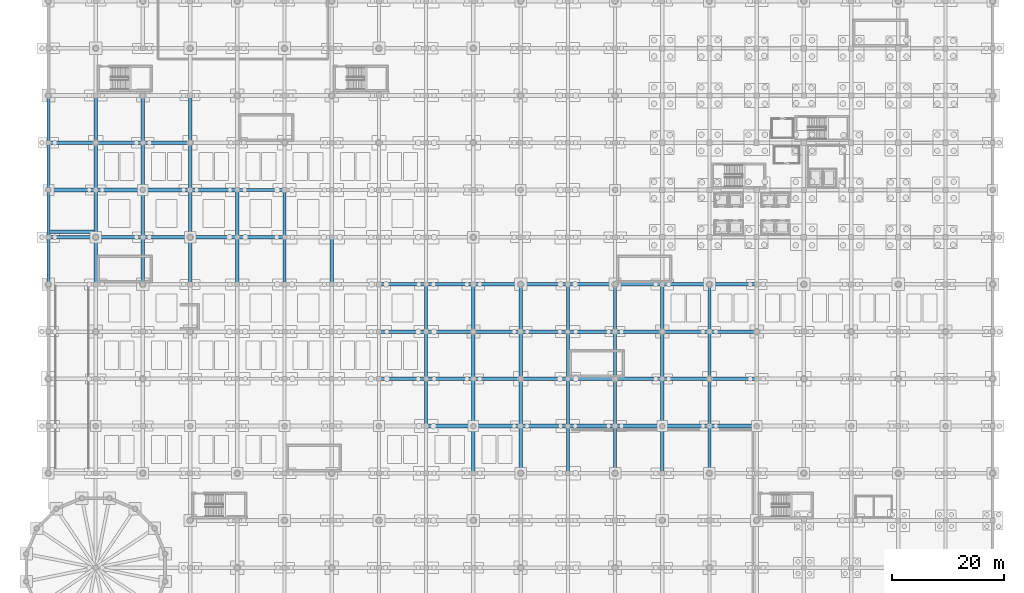
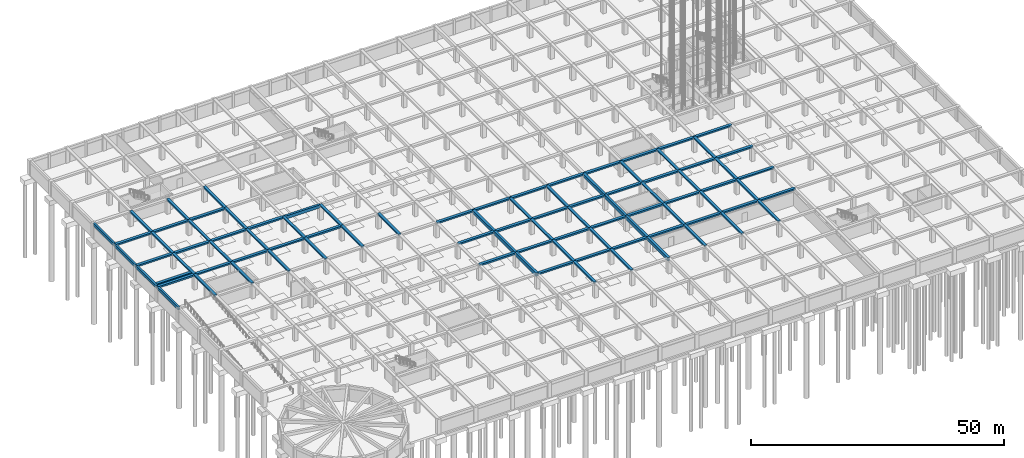
# One storey, part 13 of 47: 93 beams.
"""IFC4 building model written with IfcOpenShell, lengths in metres."""

import ifcopenshell
import ifcopenshell.guid

model = None  # the IFC model being written
_history = None  # IfcOwnerHistory: only IFC2X3 demands one
_inside = {}  # id of a spatial element -> (the spatial element, [elements in it])
_under = {}  # id of a project, library or spatial element -> (it, [spatial elements below it])
_declared = {}  # id of a project -> (the project, [libraries it declares])
_typed = {}  # id of a type object -> (the type object, [elements of that type])
_made_of = {}  # id of a material, layer set ... -> (it, [elements and type objects made of it])


def new_model(schema):
    """Start an empty IFC model of exactly this schema.

    Asked for "IFC4X3", IfcOpenShell would pick the latest addendum, in which some entities
    have other attributes; the version numbers below select the first issue.
    IFC2X3 requires an IfcOwnerHistory on every rooted entity: one is made here for all.
    """
    global model, _history
    if schema == "IFC4X3":
        model = ifcopenshell.file(schema_version=(4, 3, 0, 0))
    else:
        model = ifcopenshell.file(schema=schema)
    _inside.clear()
    _under.clear()
    _declared.clear()
    _typed.clear()
    _made_of.clear()
    _history = None
    if model.schema == "IFC2X3":
        org = make("IfcOrganization", Name="unknown")
        user = make(
            "IfcPersonAndOrganization",
            ThePerson=make("IfcPerson", FamilyName="unknown"),
            TheOrganization=org,
        )
        app = make(
            "IfcApplication",
            ApplicationDeveloper=org,
            Version="unknown",
            ApplicationFullName="unknown",
            ApplicationIdentifier="unknown",
        )
        _history = make(
            "IfcOwnerHistory",
            OwningUser=user,
            OwningApplication=app,
            ChangeAction="ADDED",
            CreationDate=0,
        )
    return model


def make(cls, **values):
    """One entity of the class cls with the attributes given. An attribute that is None is left unset."""
    return model.create_entity(
        cls, **{name: value for name, value in values.items() if value is not None}
    )


def rooted(cls, **values):
    """An entity with a GlobalId (a new one), such as an element, a storey or a relation."""
    return make(cls, GlobalId=ifcopenshell.guid.new(), OwnerHistory=_history, **values)


def si_unit(unit_type, name, prefix=None):
    """IfcSIUnit, for example si_unit("LENGTHUNIT", "METRE", prefix="MILLI")."""
    return make("IfcSIUnit", UnitType=unit_type, Prefix=prefix, Name=name)


def assignment(units):
    """IfcUnitAssignment: the units of a project."""
    return None if units is None else make("IfcUnitAssignment", Units=units)


def point(xyz):
    """IfcCartesianPoint."""
    return None if xyz is None else make("IfcCartesianPoint", Coordinates=xyz)


def direction(xyz):
    """IfcDirection."""
    return None if xyz is None else make("IfcDirection", DirectionRatios=xyz)


def frame(location, z_axis=None, x_axis=None):
    """IfcAxis2Placement3D, a coordinate frame: its origin and axes. An axis left out is left unset."""
    return make(
        "IfcAxis2Placement3D",
        Location=point(location),
        Axis=direction(z_axis),
        RefDirection=direction(x_axis),
    )


def frame_2d(location, x_axis=None):
    """IfcAxis2Placement2D, a coordinate frame in the plane: its origin and x axis."""
    return make(
        "IfcAxis2Placement2D", Location=point(location), RefDirection=direction(x_axis)
    )


def origin():
    """The frame at (0, 0, 0) with its axes left unset."""
    return frame((0.0, 0.0, 0.0))


def origin_2d():
    """The frame at (0, 0) in the plane with its x axis left unset."""
    return frame_2d((0.0, 0.0))


def place(relative_to, where):
    """IfcLocalPlacement: puts the frame where relative to a parent placement (None: the world)."""
    return make(
        "IfcLocalPlacement", PlacementRelTo=relative_to, RelativePlacement=where
    )


def context(
    kind, dimensions, precision=None, world=None, true_north=None, identifier=None
):
    """IfcGeometricRepresentationContext, for example the 3D "Model" context."""
    return make(
        "IfcGeometricRepresentationContext",
        ContextIdentifier=identifier,
        ContextType=kind,
        CoordinateSpaceDimension=dimensions,
        Precision=precision,
        WorldCoordinateSystem=world,
        TrueNorth=true_north,
    )


def subcontext(parent, identifier, kind, view, scale=None):
    """IfcGeometricRepresentationSubContext, for example "Body" below "Model"."""
    return make(
        "IfcGeometricRepresentationSubContext",
        ContextIdentifier=identifier,
        ContextType=kind,
        ParentContext=parent,
        TargetScale=scale,
        TargetView=view,
    )


def project(units=None, contexts=None):
    """IfcProject with its units and contexts."""
    return rooted(
        "IfcProject",
        Name="project",
        RepresentationContexts=contexts,
        UnitsInContext=assignment(units),
    )


def spatial(cls, under=None, at=None, **own):
    """A site, building, storey or space (cls), placed at a placement, below another one or the project."""
    s = rooted(cls, ObjectPlacement=at, **own)
    if under is not None:
        _under.setdefault(under.id(), (under, []))[1].append(s)
    return s


def profile(cls, at=None, kind="AREA", **sizes):
    """A parametric profile (cls). Its sizes go by their IFC names, for example OverallWidth=200.0."""
    return make(cls, ProfileType=kind, Position=at, **sizes)


def rectangle(**sizes):
    """IfcRectangleProfileDef."""
    return profile("IfcRectangleProfileDef", **sizes)


def extrude(swept, where, along, depth):
    """IfcExtrudedAreaSolid: the profile swept, set in the frame where, extruded along a direction by depth."""
    return make(
        "IfcExtrudedAreaSolid",
        SweptArea=swept,
        Position=where,
        ExtrudedDirection=direction(along),
        Depth=depth,
    )


def shape(context_of_items, identifier, shape_type, items):
    """IfcShapeRepresentation: the items that make up one representation, for example the "Body"."""
    return make(
        "IfcShapeRepresentation",
        ContextOfItems=context_of_items,
        RepresentationIdentifier=identifier,
        RepresentationType=shape_type,
        Items=items,
    )


def material(Name=None, Category=None):
    """IfcMaterial."""
    return make("IfcMaterial", Name=Name, Category=Category)


def material_profile(
    of_material, cross_section, Name=None, Category=None, Priority=None
):
    """IfcMaterialProfile: a cross section and its material."""
    return make(
        "IfcMaterialProfile",
        Name=Name,
        Material=of_material,
        Profile=cross_section,
        Priority=Priority,
        Category=Category,
    )


def profile_set(profiles, Name=None, composite=None):
    """IfcMaterialProfileSet."""
    return make(
        "IfcMaterialProfileSet",
        Name=Name,
        MaterialProfiles=profiles,
        CompositeProfile=composite,
    )


def made_of(thing, what):
    """Note that an element or type object is made of a material, layer set ...; save() writes the relation."""
    if what is not None:
        _made_of.setdefault(what.id(), (what, []))[1].append(thing)
    return thing


def type_object(cls, material=None, **own):
    """A type object (cls), such as IfcWallType, which elements share."""
    return made_of(rooted(cls, **own), material)


def element(
    cls,
    number,
    at=None,
    inside=None,
    cuts=None,
    type_object=None,
    material=None,
    context=None,
    identifier="Body",
    shape_type=None,
    held_by="IfcProductDefinitionShape",
    body=None,
    shapes=None,
    **own,
):
    """One element of the class cls, such as IfcWall. Its Tag is "e" and its number.

    at: its placement. inside: the storey or other place that contains it. cuts: it is an
    opening in that element (IfcRelVoidsElement). A single representation is given by context,
    identifier, shape_type and body (its items); several are given by shapes. held_by: the class
    of the entity that holds the representations. save() writes the other relations.
    """
    e = rooted(cls, Tag="e%d" % number, ObjectPlacement=at, **own)
    if body is not None:
        shapes = [shape(context, identifier, shape_type, body)]
    if shapes is not None:
        e.Representation = make(held_by, Representations=shapes)
    if inside is not None:
        _inside.setdefault(inside.id(), (inside, []))[1].append(e)
    if cuts is not None:
        rooted(
            "IfcRelVoidsElement", RelatingBuildingElement=cuts, RelatedOpeningElement=e
        )
    if type_object is not None:
        _typed.setdefault(type_object.id(), (type_object, []))[1].append(e)
    return made_of(e, material)


def aggregate(whole, parts):
    """IfcRelAggregates: a whole, such as a stair, and the parts it consists of."""
    return rooted("IfcRelAggregates", RelatingObject=whole, RelatedObjects=parts)


def save(model, path):
    """Write the relations noted so far, then the file.

    IfcRelAggregates (storeys below a building ...), IfcRelContainedInSpatialStructure (elements
    in a storey), IfcRelDefinesByType, IfcRelAssociatesMaterial and IfcRelDeclares: one each for
    every whole, place, type object, material and project.
    """
    for whole, parts in _under.values():
        aggregate(whole, parts)
    for where, things in _inside.values():
        rooted(
            "IfcRelContainedInSpatialStructure",
            RelatedElements=things,
            RelatingStructure=where,
        )
    for kind, things in _typed.values():
        rooted("IfcRelDefinesByType", RelatedObjects=things, RelatingType=kind)
    for what, things in _made_of.values():
        rooted("IfcRelAssociatesMaterial", RelatedObjects=things, RelatingMaterial=what)
    for by, libraries in _declared.values():
        rooted("IfcRelDeclares", RelatingContext=by, RelatedDefinitions=libraries)
    model.write(path)


model = new_model("IFC4")

# Units and contexts
model_context = context("Model", 3, precision=1e-05, world=origin(), true_north=direction((0.0, 1.0)))
body_context = subcontext(model_context, "Body", "Model", "MODEL_VIEW")
ifc_project = project(units=[si_unit("LENGTHUNIT", "METRE"), si_unit("AREAUNIT", "SQUARE_METRE"), si_unit("VOLUMEUNIT", "CUBIC_METRE"), si_unit("PLANEANGLEUNIT", "RADIAN"), si_unit("MASSUNIT", "GRAM", prefix="KILO")], contexts=[model_context])

# Site, building, storey
site_placement = place(None, origin())
site = spatial("IfcSite", under=ifc_project, at=site_placement, CompositionType="ELEMENT")
building_placement = place(site_placement, origin())
building = spatial("IfcBuilding", under=site, at=building_placement, Name="Almacenes y Pasaje Nevantli", CompositionType="ELEMENT")
storey_placement = place(building_placement, frame((0.0, 0.0, -8.10009765625)))
storey = spatial("IfcBuildingStorey", under=building, at=storey_placement, Name="B02", CompositionType="ELEMENT", Elevation=-8.10009765625)

# Beams
ifc_material_1 = material(Name="Concrete C35/45", Category="concrete")
ifc_material_profile_1 = material_profile(ifc_material_1, rectangle(XDim=0.449951171875, YDim=0.699951171875, at=origin_2d()), Name="RC-BM-450x700")
ifc_profile_set_1 = profile_set([ifc_material_profile_1], Name="Concrete C35/45")
beam_type_1 = type_object("IfcBeamType", Name="BM-RC-450x700", PredefinedType="SPANDREL", material=ifc_profile_set_1)
beam_1_placement = place(storey_placement, frame((0.0, 58.800048828125, 3.25), z_axis=(0.0, 1.0, 0.0), x_axis=(-1.0, 0.0, 0.0)))
element("IfcBeam", 1, at=beam_1_placement, inside=storey, type_object=beam_type_1, Name="B02 North-South Reinforced Concrete Beam #296", PredefinedType="SPANDREL", context=body_context, shape_type="SweptSolid", body=[
    extrude(rectangle(XDim=0.449951171875, YDim=0.699951171875, at=origin_2d()), origin(), (0.0, 0.0, 1.0), 8.39990234375),
])
beam_2_placement = place(storey_placement, frame((0.0, 67.199951171875, 3.25), z_axis=(0.0, 1.0, 0.0), x_axis=(-1.0, 0.0, 0.0)))
element("IfcBeam", 2, at=beam_2_placement, inside=storey, type_object=beam_type_1, Name="B02 North-South Reinforced Concrete Beam #297", PredefinedType="SPANDREL", context=body_context, shape_type="SweptSolid", body=[
    extrude(rectangle(XDim=0.449951171875, YDim=0.699951171875, at=origin_2d()), origin(), (0.0, 0.0, 1.0), 8.400146484375),
])
for number, where, z_axis, x_axis, name in (
    (3, (0.0, 75.60009765625, 3.25), (0.0, 1.0, 0.0), (-1.0, 0.0, 0.0), "B02 North-South Reinforced Concrete Beam #298"),
    (4, (0.0, 84.0, 3.25), (0.0, 1.0, 0.0), (-1.0, 0.0, 0.0), "B02 North-South Reinforced Concrete Beam #299"),
):
    element("IfcBeam", number, at=place(storey_placement, frame(where, z_axis=z_axis, x_axis=x_axis)), inside=storey, type_object=beam_type_1, Name=name, PredefinedType="SPANDREL", context=body_context, shape_type="SweptSolid", body=[
        extrude(rectangle(XDim=0.449951171875, YDim=0.699951171875, at=origin_2d()), origin(), (0.0, 0.0, 1.0), 8.39990234375),
    ])
ifc_material_2 = material(Name="Concrete C35/45", Category="concrete")
ifc_material_profile_2 = material_profile(ifc_material_2, rectangle(XDim=0.5, YDim=0.75, at=origin_2d()), Name="RC-BM-500x750")
ifc_profile_set_2 = profile_set([ifc_material_profile_2], Name="Concrete C35/45")
beam_type_2 = type_object("IfcBeamType", Name="BM-RC-500x750", PredefinedType="BEAM", material=ifc_profile_set_2)
beam_3_placement = place(storey_placement, frame((33.60009765625, 75.60009765625, 3.22509765625), z_axis=(1.0, 0.0, 0.0), x_axis=(0.0, 1.0, 0.0)))
element("IfcBeam", 5, at=beam_3_placement, inside=storey, type_object=beam_type_2, Name="B02 East-West Reinforced Concrete Beam #176", PredefinedType="BEAM", context=body_context, shape_type="SweptSolid", body=[
    extrude(rectangle(XDim=0.5, YDim=0.75, at=origin_2d()), origin(), (0.0, 0.0, 1.0), 8.39990234375),
])
ifc_material_3 = material(Name="Concrete C35/45", Category="concrete")
ifc_material_profile_3 = material_profile(ifc_material_3, rectangle(XDim=0.550048828125, YDim=0.800048828125, at=origin_2d()), Name="RC-BM-550x800")
ifc_profile_set_3 = profile_set([ifc_material_profile_3], Name="Concrete C35/45")
beam_type_3 = type_object("IfcBeamType", Name="BM-RC-550x800", PredefinedType="BEAM", material=ifc_profile_set_3)
for number, where, z_axis, x_axis, name in (
    (6, (67.199951171875, 33.60009765625, 3.2001953125), (0.0, 1.0, 0.0), (-1.0, 0.0, 0.0), "B02 North-South Reinforced Concrete Beam #396"),
    (7, (67.199951171875, 42.0, 3.2001953125), (0.0, 1.0, 0.0), (-1.0, 0.0, 0.0), "B02 North-South Reinforced Concrete Beam #397"),
):
    element("IfcBeam", number, at=place(storey_placement, frame(where, z_axis=z_axis, x_axis=x_axis)), inside=storey, type_object=beam_type_3, Name=name, PredefinedType="BEAM", context=body_context, shape_type="SweptSolid", body=[
        extrude(rectangle(XDim=0.550048828125, YDim=0.800048828125, at=origin_2d()), origin(), (0.0, 0.0, 1.0), 8.39990234375),
    ])
for number, where, z_axis, x_axis, name in (
    (8, (67.199951171875, 50.39990234375, 3.2001953125), (0.0, 1.0, 0.0), (-1.0, 0.0, 0.0), "B02 North-South Reinforced Concrete Beam #398"),
    (9, (92.39990234375, 25.199951171875, 3.2001953125), (0.0, 1.0, 0.0), (-1.0, 0.0, 0.0), "B02 North-South Reinforced Concrete Beam #437"),
):
    element("IfcBeam", number, at=place(storey_placement, frame(where, z_axis=z_axis, x_axis=x_axis)), inside=storey, type_object=beam_type_3, Name=name, PredefinedType="BEAM", context=body_context, shape_type="SweptSolid", body=[
        extrude(rectangle(XDim=0.550048828125, YDim=0.800048828125, at=origin_2d()), origin(), (0.0, 0.0, 1.0), 8.400146484375),
    ])
for number, where, z_axis, x_axis, name in (
    (10, (92.39990234375, 33.60009765625, 3.2001953125), (0.0, 1.0, 0.0), (-1.0, 0.0, 0.0), "B02 North-South Reinforced Concrete Beam #438"),
    (11, (92.39990234375, 42.0, 3.2001953125), (0.0, 1.0, 0.0), (-1.0, 0.0, 0.0), "B02 North-South Reinforced Concrete Beam #439"),
):
    element("IfcBeam", number, at=place(storey_placement, frame(where, z_axis=z_axis, x_axis=x_axis)), inside=storey, type_object=beam_type_3, Name=name, PredefinedType="BEAM", context=body_context, shape_type="SweptSolid", body=[
        extrude(rectangle(XDim=0.550048828125, YDim=0.800048828125, at=origin_2d()), origin(), (0.0, 0.0, 1.0), 8.39990234375),
    ])
beam_4_placement = place(storey_placement, frame((92.39990234375, 50.39990234375, 3.2001953125), z_axis=(0.0, 1.0, 0.0), x_axis=(-1.0, 0.0, 0.0)))
element("IfcBeam", 12, at=beam_4_placement, inside=storey, type_object=beam_type_3, Name="B02 North-South Reinforced Concrete Beam #440", PredefinedType="BEAM", context=body_context, shape_type="SweptSolid", body=[
    extrude(rectangle(XDim=0.550048828125, YDim=0.800048828125, at=origin_2d()), origin(), (0.0, 0.0, 1.0), 8.400146484375),
])
ifc_material_4 = material(Name="Concrete C35/45", Category="concrete")
ifc_material_profile_4 = material_profile(ifc_material_4, rectangle(XDim=0.60009765625, YDim=0.320068359375, at=origin_2d()), Name="RC-BM-600x320")
ifc_profile_set_4 = profile_set([ifc_material_profile_4], Name="Concrete C35/45")
beam_type_4 = type_object("IfcBeamType", Name="BM-RC-600x320", PredefinedType="BEAM", material=ifc_profile_set_4)
beam_5_placement = place(storey_placement, frame((8.39990234375, 67.199951171875, 3.440185546875), z_axis=(0.0, 1.0, 0.0), x_axis=(-1.0, 0.0, 0.0)))
element("IfcBeam", 13, at=beam_5_placement, inside=storey, type_object=beam_type_4, Name="B02 North-South Reinforced Concrete Beam #308", PredefinedType="BEAM", context=body_context, shape_type="SweptSolid", body=[
    extrude(rectangle(XDim=0.60009765625, YDim=0.320068359375, at=origin_2d()), origin(), (0.0, 0.0, 1.0), 8.400146484375),
])
for number, where, z_axis, x_axis, name in (
    (14, (8.39990234375, 84.0, 3.440185546875), (0.0, 1.0, 0.0), (-1.0, 0.0, 0.0), "B02 North-South Reinforced Concrete Beam #310"),
    (15, (16.800048828125, 58.800048828125, 3.440185546875), (0.0, 1.0, 0.0), (-1.0, 0.0, 0.0), "B02 North-South Reinforced Concrete Beam #318"),
    (16, (16.800048828125, 75.60009765625, 3.440185546875), (0.0, 1.0, 0.0), (-1.0, 0.0, 0.0), "B02 North-South Reinforced Concrete Beam #320"),
):
    element("IfcBeam", number, at=place(storey_placement, frame(where, z_axis=z_axis, x_axis=x_axis)), inside=storey, type_object=beam_type_4, Name=name, PredefinedType="BEAM", context=body_context, shape_type="SweptSolid", body=[
        extrude(rectangle(XDim=0.60009765625, YDim=0.320068359375, at=origin_2d()), origin(), (0.0, 0.0, 1.0), 8.39990234375),
    ])
beam_6_placement = place(storey_placement, frame((25.199951171875, 67.199951171875, 3.440185546875), z_axis=(0.0, 1.0, 0.0), x_axis=(-1.0, 0.0, 0.0)))
element("IfcBeam", 17, at=beam_6_placement, inside=storey, type_object=beam_type_4, Name="B02 North-South Reinforced Concrete Beam #332", PredefinedType="BEAM", context=body_context, shape_type="SweptSolid", body=[
    extrude(rectangle(XDim=0.60009765625, YDim=0.320068359375, at=origin_2d()), origin(), (0.0, 0.0, 1.0), 8.400146484375),
])
for number, where, z_axis, x_axis, name in (
    (18, (25.199951171875, 84.0, 3.440185546875), (0.0, 1.0, 0.0), (-1.0, 0.0, 0.0), "B02 North-South Reinforced Concrete Beam #334"),
    (19, (33.60009765625, 58.800048828125, 3.440185546875), (0.0, 1.0, 0.0), (-1.0, 0.0, 0.0), "B02 North-South Reinforced Concrete Beam #344"),
):
    element("IfcBeam", number, at=place(storey_placement, frame(where, z_axis=z_axis, x_axis=x_axis)), inside=storey, type_object=beam_type_4, Name=name, PredefinedType="BEAM", context=body_context, shape_type="SweptSolid", body=[
        extrude(rectangle(XDim=0.60009765625, YDim=0.320068359375, at=origin_2d()), origin(), (0.0, 0.0, 1.0), 8.39990234375),
    ])
beam_7_placement = place(storey_placement, frame((42.0, 67.199951171875, 3.440185546875), z_axis=(0.0, 1.0, 0.0), x_axis=(-1.0, 0.0, 0.0)))
element("IfcBeam", 20, at=beam_7_placement, inside=storey, type_object=beam_type_4, Name="B02 North-South Reinforced Concrete Beam #359", PredefinedType="BEAM", context=body_context, shape_type="SweptSolid", body=[
    extrude(rectangle(XDim=0.60009765625, YDim=0.320068359375, at=origin_2d()), origin(), (0.0, 0.0, 1.0), 8.400146484375),
])
for number, where, z_axis, x_axis, name in (
    (21, (50.39990234375, 58.800048828125, 3.440185546875), (0.0, 1.0, 0.0), (-1.0, 0.0, 0.0), "B02 North-South Reinforced Concrete Beam #372"),
    (22, (75.60009765625, 33.60009765625, 3.440185546875), (0.0, 1.0, 0.0), (-1.0, 0.0, 0.0), "B02 North-South Reinforced Concrete Beam #410"),
):
    element("IfcBeam", number, at=place(storey_placement, frame(where, z_axis=z_axis, x_axis=x_axis)), inside=storey, type_object=beam_type_4, Name=name, PredefinedType="BEAM", context=body_context, shape_type="SweptSolid", body=[
        extrude(rectangle(XDim=0.60009765625, YDim=0.320068359375, at=origin_2d()), origin(), (0.0, 0.0, 1.0), 8.39990234375),
    ])
for number, where, z_axis, x_axis, name in (
    (23, (75.60009765625, 50.39990234375, 3.440185546875), (0.0, 1.0, 0.0), (-1.0, 0.0, 0.0), "B02 North-South Reinforced Concrete Beam #412"),
    (24, (84.0, 25.199951171875, 3.440185546875), (0.0, 1.0, 0.0), (-1.0, 0.0, 0.0), "B02 North-South Reinforced Concrete Beam #423"),
):
    element("IfcBeam", number, at=place(storey_placement, frame(where, z_axis=z_axis, x_axis=x_axis)), inside=storey, type_object=beam_type_4, Name=name, PredefinedType="BEAM", context=body_context, shape_type="SweptSolid", body=[
        extrude(rectangle(XDim=0.60009765625, YDim=0.320068359375, at=origin_2d()), origin(), (0.0, 0.0, 1.0), 8.400146484375),
    ])
beam_8_placement = place(storey_placement, frame((84.0, 42.0, 3.440185546875), z_axis=(0.0, 1.0, 0.0), x_axis=(-1.0, 0.0, 0.0)))
element("IfcBeam", 25, at=beam_8_placement, inside=storey, type_object=beam_type_4, Name="B02 North-South Reinforced Concrete Beam #425", PredefinedType="BEAM", context=body_context, shape_type="SweptSolid", body=[
    extrude(rectangle(XDim=0.60009765625, YDim=0.320068359375, at=origin_2d()), origin(), (0.0, 0.0, 1.0), 8.39990234375),
])
beam_9_placement = place(storey_placement, frame((100.800048828125, 25.199951171875, 3.440185546875), z_axis=(0.0, 1.0, 0.0), x_axis=(-1.0, 0.0, 0.0)))
element("IfcBeam", 26, at=beam_9_placement, inside=storey, type_object=beam_type_4, Name="B02 North-South Reinforced Concrete Beam #451", PredefinedType="BEAM", context=body_context, shape_type="SweptSolid", body=[
    extrude(rectangle(XDim=0.60009765625, YDim=0.320068359375, at=origin_2d()), origin(), (0.0, 0.0, 1.0), 8.400146484375),
])
for number, where, z_axis, x_axis, name in (
    (27, (100.800048828125, 42.0, 3.440185546875), (0.0, 1.0, 0.0), (-1.0, 0.0, 0.0), "B02 North-South Reinforced Concrete Beam #453"),
    (28, (109.199951171875, 33.60009765625, 3.440185546875), (0.0, 1.0, 0.0), (-1.0, 0.0, 0.0), "B02 North-South Reinforced Concrete Beam #466"),
):
    element("IfcBeam", number, at=place(storey_placement, frame(where, z_axis=z_axis, x_axis=x_axis)), inside=storey, type_object=beam_type_4, Name=name, PredefinedType="BEAM", context=body_context, shape_type="SweptSolid", body=[
        extrude(rectangle(XDim=0.60009765625, YDim=0.320068359375, at=origin_2d()), origin(), (0.0, 0.0, 1.0), 8.39990234375),
    ])
for number, where, z_axis, x_axis, name in (
    (29, (109.199951171875, 50.39990234375, 3.440185546875), (0.0, 1.0, 0.0), (-1.0, 0.0, 0.0), "B02 North-South Reinforced Concrete Beam #468"),
    (30, (117.60009765625, 25.199951171875, 3.440185546875), (0.0, 1.0, 0.0), (-1.0, 0.0, 0.0), "B02 North-South Reinforced Concrete Beam #479"),
):
    element("IfcBeam", number, at=place(storey_placement, frame(where, z_axis=z_axis, x_axis=x_axis)), inside=storey, type_object=beam_type_4, Name=name, PredefinedType="BEAM", context=body_context, shape_type="SweptSolid", body=[
        extrude(rectangle(XDim=0.60009765625, YDim=0.320068359375, at=origin_2d()), origin(), (0.0, 0.0, 1.0), 8.400146484375),
    ])
beam_10_placement = place(storey_placement, frame((117.60009765625, 42.0, 3.440185546875), z_axis=(0.0, 1.0, 0.0), x_axis=(-1.0, 0.0, 0.0)))
element("IfcBeam", 31, at=beam_10_placement, inside=storey, type_object=beam_type_4, Name="B02 North-South Reinforced Concrete Beam #481", PredefinedType="BEAM", context=body_context, shape_type="SweptSolid", body=[
    extrude(rectangle(XDim=0.60009765625, YDim=0.320068359375, at=origin_2d()), origin(), (0.0, 0.0, 1.0), 8.39990234375),
])
ifc_material_5 = material(Name="Concrete C35/45", Category="concrete")
ifc_material_profile_5 = material_profile(ifc_material_5, rectangle(XDim=0.60009765625, YDim=0.340087890625, at=origin_2d()), Name="RC-BM-600x340")
ifc_profile_set_5 = profile_set([ifc_material_profile_5], Name="Concrete C35/45")
beam_type_5 = type_object("IfcBeamType", Name="BM-RC-600x340", PredefinedType="BEAM", material=ifc_profile_set_5)
for number, where, z_axis, x_axis, name in (
    (32, (8.39990234375, 58.800048828125, 3.43017578125), (0.0, 1.0, 0.0), (-1.0, 0.0, 0.0), "B02 North-South Reinforced Concrete Beam #307"),
    (33, (8.39990234375, 75.60009765625, 3.43017578125), (0.0, 1.0, 0.0), (-1.0, 0.0, 0.0), "B02 North-South Reinforced Concrete Beam #309"),
):
    element("IfcBeam", number, at=place(storey_placement, frame(where, z_axis=z_axis, x_axis=x_axis)), inside=storey, type_object=beam_type_5, Name=name, PredefinedType="BEAM", context=body_context, shape_type="SweptSolid", body=[
        extrude(rectangle(XDim=0.60009765625, YDim=0.340087890625, at=origin_2d()), origin(), (0.0, 0.0, 1.0), 8.39990234375),
    ])
beam_11_placement = place(storey_placement, frame((16.800048828125, 67.199951171875, 3.43017578125), z_axis=(0.0, 1.0, 0.0), x_axis=(-1.0, 0.0, 0.0)))
element("IfcBeam", 34, at=beam_11_placement, inside=storey, type_object=beam_type_5, Name="B02 North-South Reinforced Concrete Beam #319", PredefinedType="BEAM", context=body_context, shape_type="SweptSolid", body=[
    extrude(rectangle(XDim=0.60009765625, YDim=0.340087890625, at=origin_2d()), origin(), (0.0, 0.0, 1.0), 8.400146484375),
])
for number, where, z_axis, x_axis, name in (
    (35, (16.800048828125, 84.0, 3.43017578125), (0.0, 1.0, 0.0), (-1.0, 0.0, 0.0), "B02 North-South Reinforced Concrete Beam #321"),
    (36, (25.199951171875, 58.800048828125, 3.43017578125), (0.0, 1.0, 0.0), (-1.0, 0.0, 0.0), "B02 North-South Reinforced Concrete Beam #331"),
    (37, (25.199951171875, 75.60009765625, 3.43017578125), (0.0, 1.0, 0.0), (-1.0, 0.0, 0.0), "B02 North-South Reinforced Concrete Beam #333"),
):
    element("IfcBeam", number, at=place(storey_placement, frame(where, z_axis=z_axis, x_axis=x_axis)), inside=storey, type_object=beam_type_5, Name=name, PredefinedType="BEAM", context=body_context, shape_type="SweptSolid", body=[
        extrude(rectangle(XDim=0.60009765625, YDim=0.340087890625, at=origin_2d()), origin(), (0.0, 0.0, 1.0), 8.39990234375),
    ])
beam_12_placement = place(storey_placement, frame((33.60009765625, 67.199951171875, 3.43017578125), z_axis=(0.0, 1.0, 0.0), x_axis=(-1.0, 0.0, 0.0)))
element("IfcBeam", 38, at=beam_12_placement, inside=storey, type_object=beam_type_5, Name="B02 North-South Reinforced Concrete Beam #345", PredefinedType="BEAM", context=body_context, shape_type="SweptSolid", body=[
    extrude(rectangle(XDim=0.60009765625, YDim=0.340087890625, at=origin_2d()), origin(), (0.0, 0.0, 1.0), 8.400146484375),
])
beam_13_placement = place(storey_placement, frame((42.0, 58.800048828125, 3.43017578125), z_axis=(0.0, 1.0, 0.0), x_axis=(-1.0, 0.0, 0.0)))
element("IfcBeam", 39, at=beam_13_placement, inside=storey, type_object=beam_type_5, Name="B02 North-South Reinforced Concrete Beam #358", PredefinedType="BEAM", context=body_context, shape_type="SweptSolid", body=[
    extrude(rectangle(XDim=0.60009765625, YDim=0.340087890625, at=origin_2d()), origin(), (0.0, 0.0, 1.0), 8.39990234375),
])
beam_14_placement = place(storey_placement, frame((75.60009765625, 25.199951171875, 3.43017578125), z_axis=(0.0, 1.0, 0.0), x_axis=(-1.0, 0.0, 0.0)))
element("IfcBeam", 40, at=beam_14_placement, inside=storey, type_object=beam_type_5, Name="B02 North-South Reinforced Concrete Beam #409", PredefinedType="BEAM", context=body_context, shape_type="SweptSolid", body=[
    extrude(rectangle(XDim=0.60009765625, YDim=0.340087890625, at=origin_2d()), origin(), (0.0, 0.0, 1.0), 8.400146484375),
])
for number, where, z_axis, x_axis, name in (
    (41, (75.60009765625, 42.0, 3.43017578125), (0.0, 1.0, 0.0), (-1.0, 0.0, 0.0), "B02 North-South Reinforced Concrete Beam #411"),
    (42, (84.0, 33.60009765625, 3.43017578125), (0.0, 1.0, 0.0), (-1.0, 0.0, 0.0), "B02 North-South Reinforced Concrete Beam #424"),
):
    element("IfcBeam", number, at=place(storey_placement, frame(where, z_axis=z_axis, x_axis=x_axis)), inside=storey, type_object=beam_type_5, Name=name, PredefinedType="BEAM", context=body_context, shape_type="SweptSolid", body=[
        extrude(rectangle(XDim=0.60009765625, YDim=0.340087890625, at=origin_2d()), origin(), (0.0, 0.0, 1.0), 8.39990234375),
    ])
beam_15_placement = place(storey_placement, frame((84.0, 50.39990234375, 3.43017578125), z_axis=(0.0, 1.0, 0.0), x_axis=(-1.0, 0.0, 0.0)))
element("IfcBeam", 43, at=beam_15_placement, inside=storey, type_object=beam_type_5, Name="B02 North-South Reinforced Concrete Beam #426", PredefinedType="BEAM", context=body_context, shape_type="SweptSolid", body=[
    extrude(rectangle(XDim=0.60009765625, YDim=0.340087890625, at=origin_2d()), origin(), (0.0, 0.0, 1.0), 8.400146484375),
])
beam_16_placement = place(storey_placement, frame((100.800048828125, 33.60009765625, 3.43017578125), z_axis=(0.0, 1.0, 0.0), x_axis=(-1.0, 0.0, 0.0)))
element("IfcBeam", 44, at=beam_16_placement, inside=storey, type_object=beam_type_5, Name="B02 North-South Reinforced Concrete Beam #452", PredefinedType="BEAM", context=body_context, shape_type="SweptSolid", body=[
    extrude(rectangle(XDim=0.60009765625, YDim=0.340087890625, at=origin_2d()), origin(), (0.0, 0.0, 1.0), 8.39990234375),
])
for number, where, z_axis, x_axis, name in (
    (45, (100.800048828125, 50.39990234375, 3.43017578125), (0.0, 1.0, 0.0), (-1.0, 0.0, 0.0), "B02 North-South Reinforced Concrete Beam #454"),
    (46, (109.199951171875, 25.199951171875, 3.43017578125), (0.0, 1.0, 0.0), (-1.0, 0.0, 0.0), "B02 North-South Reinforced Concrete Beam #465"),
):
    element("IfcBeam", number, at=place(storey_placement, frame(where, z_axis=z_axis, x_axis=x_axis)), inside=storey, type_object=beam_type_5, Name=name, PredefinedType="BEAM", context=body_context, shape_type="SweptSolid", body=[
        extrude(rectangle(XDim=0.60009765625, YDim=0.340087890625, at=origin_2d()), origin(), (0.0, 0.0, 1.0), 8.400146484375),
    ])
for number, where, z_axis, x_axis, name in (
    (47, (109.199951171875, 42.0, 3.43017578125), (0.0, 1.0, 0.0), (-1.0, 0.0, 0.0), "B02 North-South Reinforced Concrete Beam #467"),
    (48, (117.60009765625, 33.60009765625, 3.43017578125), (0.0, 1.0, 0.0), (-1.0, 0.0, 0.0), "B02 North-South Reinforced Concrete Beam #480"),
):
    element("IfcBeam", number, at=place(storey_placement, frame(where, z_axis=z_axis, x_axis=x_axis)), inside=storey, type_object=beam_type_5, Name=name, PredefinedType="BEAM", context=body_context, shape_type="SweptSolid", body=[
        extrude(rectangle(XDim=0.60009765625, YDim=0.340087890625, at=origin_2d()), origin(), (0.0, 0.0, 1.0), 8.39990234375),
    ])
beam_17_placement = place(storey_placement, frame((117.60009765625, 50.39990234375, 3.43017578125), z_axis=(0.0, 1.0, 0.0), x_axis=(-1.0, 0.0, 0.0)))
element("IfcBeam", 49, at=beam_17_placement, inside=storey, type_object=beam_type_5, Name="B02 North-South Reinforced Concrete Beam #482", PredefinedType="BEAM", context=body_context, shape_type="SweptSolid", body=[
    extrude(rectangle(XDim=0.60009765625, YDim=0.340087890625, at=origin_2d()), origin(), (0.0, 0.0, 1.0), 8.400146484375),
])
ifc_material_6 = material(Name="Concrete C35/45", Category="concrete")
ifc_material_profile_6 = material_profile(ifc_material_6, rectangle(XDim=0.64990234375, YDim=0.35009765625, at=origin_2d()), Name="RC-BM-650x350")
ifc_profile_set_6 = profile_set([ifc_material_profile_6], Name="Concrete C35/45")
beam_type_6 = type_object("IfcBeamType", Name="BM-RC-650x350", PredefinedType="BEAM", material=ifc_profile_set_6)
beam_18_placement = place(storey_placement, frame((75.60009765625, 33.60009765625, 3.425048828125), z_axis=(1.0, 0.0, 0.0), x_axis=(0.0, 1.0, 0.0)))
element("IfcBeam", 50, at=beam_18_placement, inside=storey, type_object=beam_type_6, Name="B02 East-West Reinforced Concrete Beam #81", PredefinedType="BEAM", context=body_context, shape_type="SweptSolid", body=[
    extrude(rectangle(XDim=0.64990234375, YDim=0.35009765625, at=origin_2d()), origin(), (0.0, 0.0, 1.0), 8.39990234375),
])
for number, where, z_axis, x_axis, name in (
    (51, (92.39990234375, 33.60009765625, 3.425048828125), (1.0, 0.0, 0.0), (0.0, 1.0, 0.0), "B02 East-West Reinforced Concrete Beam #83"),
    (52, (109.199951171875, 33.60009765625, 3.425048828125), (1.0, 0.0, 0.0), (0.0, 1.0, 0.0), "B02 East-West Reinforced Concrete Beam #85"),
    (53, (67.199951171875, 42.0, 3.425048828125), (1.0, 0.0, 0.0), (0.0, 1.0, 0.0), "B02 East-West Reinforced Concrete Beam #100"),
):
    element("IfcBeam", number, at=place(storey_placement, frame(where, z_axis=z_axis, x_axis=x_axis)), inside=storey, type_object=beam_type_6, Name=name, PredefinedType="BEAM", context=body_context, shape_type="SweptSolid", body=[
        extrude(rectangle(XDim=0.64990234375, YDim=0.35009765625, at=origin_2d()), origin(), (0.0, 0.0, 1.0), 8.400146484375),
    ])
for number, where, z_axis, x_axis, name in (
    (54, (84.0, 42.0, 3.425048828125), (1.0, 0.0, 0.0), (0.0, 1.0, 0.0), "B02 East-West Reinforced Concrete Beam #102"),
    (55, (100.800048828125, 42.0, 3.425048828125), (1.0, 0.0, 0.0), (0.0, 1.0, 0.0), "B02 East-West Reinforced Concrete Beam #104"),
    (56, (117.60009765625, 42.0, 3.425048828125), (1.0, 0.0, 0.0), (0.0, 1.0, 0.0), "B02 East-West Reinforced Concrete Beam #106"),
    (57, (58.800048828125, 50.39990234375, 3.425048828125), (1.0, 0.0, 0.0), (0.0, 1.0, 0.0), "B02 East-West Reinforced Concrete Beam #119"),
    (58, (75.60009765625, 50.39990234375, 3.425048828125), (1.0, 0.0, 0.0), (0.0, 1.0, 0.0), "B02 East-West Reinforced Concrete Beam #121"),
):
    element("IfcBeam", number, at=place(storey_placement, frame(where, z_axis=z_axis, x_axis=x_axis)), inside=storey, type_object=beam_type_6, Name=name, PredefinedType="BEAM", context=body_context, shape_type="SweptSolid", body=[
        extrude(rectangle(XDim=0.64990234375, YDim=0.35009765625, at=origin_2d()), origin(), (0.0, 0.0, 1.0), 8.39990234375),
    ])
for number, where, z_axis, x_axis, name in (
    (59, (92.39990234375, 50.39990234375, 3.425048828125), (1.0, 0.0, 0.0), (0.0, 1.0, 0.0), "B02 East-West Reinforced Concrete Beam #123"),
    (60, (109.199951171875, 50.39990234375, 3.425048828125), (1.0, 0.0, 0.0), (0.0, 1.0, 0.0), "B02 East-West Reinforced Concrete Beam #125"),
    (61, (67.199951171875, 58.800048828125, 3.425048828125), (1.0, 0.0, 0.0), (0.0, 1.0, 0.0), "B02 East-West Reinforced Concrete Beam #140"),
):
    element("IfcBeam", number, at=place(storey_placement, frame(where, z_axis=z_axis, x_axis=x_axis)), inside=storey, type_object=beam_type_6, Name=name, PredefinedType="BEAM", context=body_context, shape_type="SweptSolid", body=[
        extrude(rectangle(XDim=0.64990234375, YDim=0.35009765625, at=origin_2d()), origin(), (0.0, 0.0, 1.0), 8.400146484375),
    ])
for number, where, z_axis, x_axis, name in (
    (62, (84.0, 58.800048828125, 3.425048828125), (1.0, 0.0, 0.0), (0.0, 1.0, 0.0), "B02 East-West Reinforced Concrete Beam #142"),
    (63, (100.800048828125, 58.800048828125, 3.425048828125), (1.0, 0.0, 0.0), (0.0, 1.0, 0.0), "B02 East-West Reinforced Concrete Beam #144"),
    (64, (117.60009765625, 58.800048828125, 3.425048828125), (1.0, 0.0, 0.0), (0.0, 1.0, 0.0), "B02 East-West Reinforced Concrete Beam #146"),
):
    element("IfcBeam", number, at=place(storey_placement, frame(where, z_axis=z_axis, x_axis=x_axis)), inside=storey, type_object=beam_type_6, Name=name, PredefinedType="BEAM", context=body_context, shape_type="SweptSolid", body=[
        extrude(rectangle(XDim=0.64990234375, YDim=0.35009765625, at=origin_2d()), origin(), (0.0, 0.0, 1.0), 8.39990234375),
    ])
for number, where, z_axis, x_axis, name in (
    (65, (8.39990234375, 67.199951171875, 3.425048828125), (1.0, 0.0, 0.0), (0.0, 1.0, 0.0), "B02 East-West Reinforced Concrete Beam #153"),
    (66, (25.199951171875, 67.199951171875, 3.425048828125), (1.0, 0.0, 0.0), (0.0, 1.0, 0.0), "B02 East-West Reinforced Concrete Beam #155"),
):
    element("IfcBeam", number, at=place(storey_placement, frame(where, z_axis=z_axis, x_axis=x_axis)), inside=storey, type_object=beam_type_6, Name=name, PredefinedType="BEAM", context=body_context, shape_type="SweptSolid", body=[
        extrude(rectangle(XDim=0.64990234375, YDim=0.35009765625, at=origin_2d()), origin(), (0.0, 0.0, 1.0), 8.400146484375),
    ])
for number, where, z_axis, x_axis, name in (
    (67, (0.0, 75.60009765625, 3.425048828125), (1.0, 0.0, 0.0), (0.0, 1.0, 0.0), "B02 East-West Reinforced Concrete Beam #172"),
    (68, (16.800048828125, 75.60009765625, 3.425048828125), (1.0, 0.0, 0.0), (0.0, 1.0, 0.0), "B02 East-West Reinforced Concrete Beam #174"),
):
    element("IfcBeam", number, at=place(storey_placement, frame(where, z_axis=z_axis, x_axis=x_axis)), inside=storey, type_object=beam_type_6, Name=name, PredefinedType="BEAM", context=body_context, shape_type="SweptSolid", body=[
        extrude(rectangle(XDim=0.64990234375, YDim=0.35009765625, at=origin_2d()), origin(), (0.0, 0.0, 1.0), 8.39990234375),
    ])
beam_19_placement = place(storey_placement, frame((8.39990234375, 84.0, 3.425048828125), z_axis=(1.0, 0.0, 0.0), x_axis=(0.0, 1.0, 0.0)))
element("IfcBeam", 69, at=beam_19_placement, inside=storey, type_object=beam_type_6, Name="B02 East-West Reinforced Concrete Beam #193", PredefinedType="BEAM", context=body_context, shape_type="SweptSolid", body=[
    extrude(rectangle(XDim=0.64990234375, YDim=0.35009765625, at=origin_2d()), origin(), (0.0, 0.0, 1.0), 8.400146484375),
])
ifc_material_7 = material(Name="Concrete C35/45", Category="concrete")
ifc_material_profile_7 = material_profile(ifc_material_7, rectangle(XDim=0.64990234375, YDim=0.3798828125, at=origin_2d()), Name="RC-BM-650x380")
ifc_profile_set_7 = profile_set([ifc_material_profile_7], Name="Concrete C35/45")
beam_type_7 = type_object("IfcBeamType", Name="BM-RC-650x380", PredefinedType="BEAM", material=ifc_profile_set_7)
beam_20_placement = place(storey_placement, frame((67.199951171875, 33.60009765625, 3.41015625), z_axis=(1.0, 0.0, 0.0), x_axis=(0.0, 1.0, 0.0)))
element("IfcBeam", 70, at=beam_20_placement, inside=storey, type_object=beam_type_7, Name="B02 East-West Reinforced Concrete Beam #80", PredefinedType="BEAM", context=body_context, shape_type="SweptSolid", body=[
    extrude(rectangle(XDim=0.64990234375, YDim=0.3798828125, at=origin_2d()), origin(), (0.0, 0.0, 1.0), 8.400146484375),
])
for number, where, z_axis, x_axis, name in (
    (71, (84.0, 33.60009765625, 3.41015625), (1.0, 0.0, 0.0), (0.0, 1.0, 0.0), "B02 East-West Reinforced Concrete Beam #82"),
    (72, (100.800048828125, 33.60009765625, 3.41015625), (1.0, 0.0, 0.0), (0.0, 1.0, 0.0), "B02 East-West Reinforced Concrete Beam #84"),
    (73, (117.60009765625, 33.60009765625, 3.41015625), (1.0, 0.0, 0.0), (0.0, 1.0, 0.0), "B02 East-West Reinforced Concrete Beam #86"),
    (74, (58.800048828125, 42.0, 3.41015625), (1.0, 0.0, 0.0), (0.0, 1.0, 0.0), "B02 East-West Reinforced Concrete Beam #99"),
    (75, (75.60009765625, 42.0, 3.41015625), (1.0, 0.0, 0.0), (0.0, 1.0, 0.0), "B02 East-West Reinforced Concrete Beam #101"),
):
    element("IfcBeam", number, at=place(storey_placement, frame(where, z_axis=z_axis, x_axis=x_axis)), inside=storey, type_object=beam_type_7, Name=name, PredefinedType="BEAM", context=body_context, shape_type="SweptSolid", body=[
        extrude(rectangle(XDim=0.64990234375, YDim=0.3798828125, at=origin_2d()), origin(), (0.0, 0.0, 1.0), 8.39990234375),
    ])
for number, where, z_axis, x_axis, name in (
    (76, (92.39990234375, 42.0, 3.41015625), (1.0, 0.0, 0.0), (0.0, 1.0, 0.0), "B02 East-West Reinforced Concrete Beam #103"),
    (77, (109.199951171875, 42.0, 3.41015625), (1.0, 0.0, 0.0), (0.0, 1.0, 0.0), "B02 East-West Reinforced Concrete Beam #105"),
    (78, (67.199951171875, 50.39990234375, 3.41015625), (1.0, 0.0, 0.0), (0.0, 1.0, 0.0), "B02 East-West Reinforced Concrete Beam #120"),
):
    element("IfcBeam", number, at=place(storey_placement, frame(where, z_axis=z_axis, x_axis=x_axis)), inside=storey, type_object=beam_type_7, Name=name, PredefinedType="BEAM", context=body_context, shape_type="SweptSolid", body=[
        extrude(rectangle(XDim=0.64990234375, YDim=0.3798828125, at=origin_2d()), origin(), (0.0, 0.0, 1.0), 8.400146484375),
    ])
for number, where, z_axis, x_axis, name in (
    (79, (84.0, 50.39990234375, 3.41015625), (1.0, 0.0, 0.0), (0.0, 1.0, 0.0), "B02 East-West Reinforced Concrete Beam #122"),
    (80, (100.800048828125, 50.39990234375, 3.41015625), (1.0, 0.0, 0.0), (0.0, 1.0, 0.0), "B02 East-West Reinforced Concrete Beam #124"),
    (81, (117.60009765625, 50.39990234375, 3.41015625), (1.0, 0.0, 0.0), (0.0, 1.0, 0.0), "B02 East-West Reinforced Concrete Beam #126"),
    (82, (58.800048828125, 58.800048828125, 3.41015625), (1.0, 0.0, 0.0), (0.0, 1.0, 0.0), "B02 East-West Reinforced Concrete Beam #139"),
    (83, (75.60009765625, 58.800048828125, 3.41015625), (1.0, 0.0, 0.0), (0.0, 1.0, 0.0), "B02 East-West Reinforced Concrete Beam #141"),
):
    element("IfcBeam", number, at=place(storey_placement, frame(where, z_axis=z_axis, x_axis=x_axis)), inside=storey, type_object=beam_type_7, Name=name, PredefinedType="BEAM", context=body_context, shape_type="SweptSolid", body=[
        extrude(rectangle(XDim=0.64990234375, YDim=0.3798828125, at=origin_2d()), origin(), (0.0, 0.0, 1.0), 8.39990234375),
    ])
for number, where, z_axis, x_axis, name in (
    (84, (92.39990234375, 58.800048828125, 3.41015625), (1.0, 0.0, 0.0), (0.0, 1.0, 0.0), "B02 East-West Reinforced Concrete Beam #143"),
    (85, (109.199951171875, 58.800048828125, 3.41015625), (1.0, 0.0, 0.0), (0.0, 1.0, 0.0), "B02 East-West Reinforced Concrete Beam #145"),
):
    element("IfcBeam", number, at=place(storey_placement, frame(where, z_axis=z_axis, x_axis=x_axis)), inside=storey, type_object=beam_type_7, Name=name, PredefinedType="BEAM", context=body_context, shape_type="SweptSolid", body=[
        extrude(rectangle(XDim=0.64990234375, YDim=0.3798828125, at=origin_2d()), origin(), (0.0, 0.0, 1.0), 8.400146484375),
    ])
for number, where, z_axis, x_axis, name in (
    (86, (0.0, 67.199951171875, 3.41015625), (1.0, 0.0, 0.0), (0.0, 1.0, 0.0), "B02 East-West Reinforced Concrete Beam #152"),
    (87, (16.800048828125, 67.199951171875, 3.41015625), (1.0, 0.0, 0.0), (0.0, 1.0, 0.0), "B02 East-West Reinforced Concrete Beam #154"),
    (88, (33.60009765625, 67.199951171875, 3.41015625), (1.0, 0.0, 0.0), (0.0, 1.0, 0.0), "B02 East-West Reinforced Concrete Beam #156"),
):
    element("IfcBeam", number, at=place(storey_placement, frame(where, z_axis=z_axis, x_axis=x_axis)), inside=storey, type_object=beam_type_7, Name=name, PredefinedType="BEAM", context=body_context, shape_type="SweptSolid", body=[
        extrude(rectangle(XDim=0.64990234375, YDim=0.3798828125, at=origin_2d()), origin(), (0.0, 0.0, 1.0), 8.39990234375),
    ])
for number, where, z_axis, x_axis, name in (
    (89, (8.39990234375, 75.60009765625, 3.41015625), (1.0, 0.0, 0.0), (0.0, 1.0, 0.0), "B02 East-West Reinforced Concrete Beam #173"),
    (90, (25.199951171875, 75.60009765625, 3.41015625), (1.0, 0.0, 0.0), (0.0, 1.0, 0.0), "B02 East-West Reinforced Concrete Beam #175"),
):
    element("IfcBeam", number, at=place(storey_placement, frame(where, z_axis=z_axis, x_axis=x_axis)), inside=storey, type_object=beam_type_7, Name=name, PredefinedType="BEAM", context=body_context, shape_type="SweptSolid", body=[
        extrude(rectangle(XDim=0.64990234375, YDim=0.3798828125, at=origin_2d()), origin(), (0.0, 0.0, 1.0), 8.400146484375),
    ])
for number, where, z_axis, x_axis, name in (
    (91, (0.0, 84.0, 3.41015625), (1.0, 0.0, 0.0), (0.0, 1.0, 0.0), "B02 East-West Reinforced Concrete Beam #192"),
    (92, (16.800048828125, 84.0, 3.41015625), (1.0, 0.0, 0.0), (0.0, 1.0, 0.0), "B02 East-West Reinforced Concrete Beam #194"),
):
    element("IfcBeam", number, at=place(storey_placement, frame(where, z_axis=z_axis, x_axis=x_axis)), inside=storey, type_object=beam_type_7, Name=name, PredefinedType="BEAM", context=body_context, shape_type="SweptSolid", body=[
        extrude(rectangle(XDim=0.64990234375, YDim=0.3798828125, at=origin_2d()), origin(), (0.0, 0.0, 1.0), 8.39990234375),
    ])
beam_21_placement = place(storey_placement, frame((0.199951171875, 68.14990234375, 3.412109375), z_axis=(1.0, 0.0, 0.0), x_axis=(0.0, 1.0, 0.0)))
element("IfcBeam", 93, at=beam_21_placement, inside=storey, type_object=beam_type_7, Name="B02 Vehicular Ramp RP-02 Bottom Trimmer Beam", PredefinedType="BEAM", context=body_context, shape_type="SweptSolid", body=[
    extrude(rectangle(XDim=0.64990234375, YDim=0.3798828125, at=origin_2d()), origin(), (0.0, 0.0, 1.0), 7.900146484375),
])

save(model, "model.ifc")
